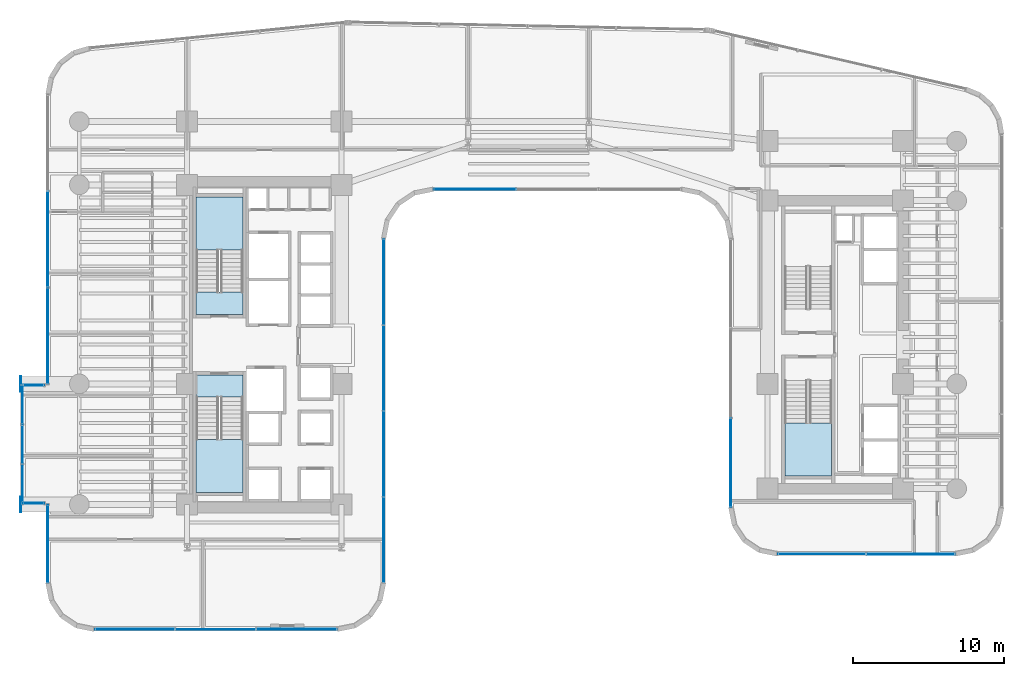
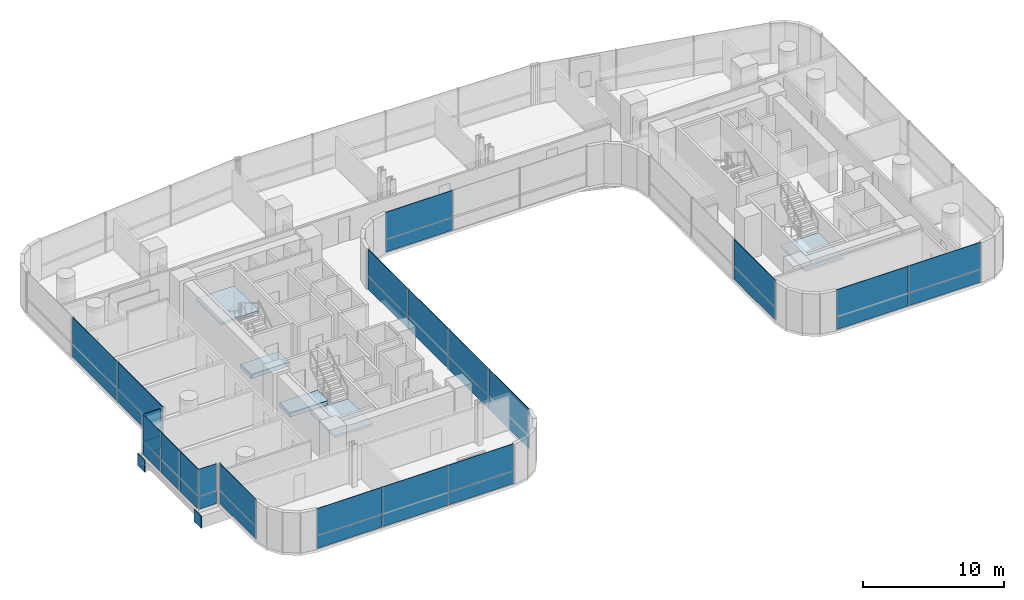
# One storey, part 28 of 39: 34 plates, 5 slabs, 13 elements without a shape of their own.
"""IFC4 building model written with IfcOpenShell, lengths in metres."""

from ifc_helpers import new_model, si_unit, direction, frame, origin, origin_2d, place, context, subcontext, project, spatial, polyline, rectangle, outline, extrude, source, transform, mapped, material, layer, layer_set, type_object, element, aggregate, save


model = new_model("IFC4")

# Units and contexts
model_context = context("Model", 3, precision=1e-05, world=origin(), true_north=direction((0.0, 1.0)))
body_context = subcontext(model_context, "Body", "Model", "MODEL_VIEW")
ifc_project = project(units=[si_unit("LENGTHUNIT", "METRE"), si_unit("AREAUNIT", "SQUARE_METRE"), si_unit("VOLUMEUNIT", "CUBIC_METRE"), si_unit("PLANEANGLEUNIT", "RADIAN"), si_unit("MASSUNIT", "GRAM", prefix="KILO")], contexts=[model_context])

# Site, building, storey
site_placement = place(None, origin())
site = spatial("IfcSite", under=ifc_project, at=site_placement, CompositionType="ELEMENT")
building_placement = place(site_placement, origin())
building = spatial("IfcBuilding", under=site, at=building_placement, Name="Valdorenza Pilgrim Sanctuary Tower", CompositionType="ELEMENT")
storey_placement = place(building_placement, frame((0.0, 0.0, 33.39990234375)))
storey = spatial("IfcBuildingStorey", under=building, at=storey_placement, Name="L07", CompositionType="ELEMENT", Elevation=33.39990234375)

# Stair, slab
ifc_material_1 = material(Name="Concrete C40/50", Category="concrete")
stair_type = type_object("IfcStairType", Name="STR-DOG-CORE", PredefinedType="HALF_TURN_STAIR", material=ifc_material_1)
stair_1_placement = place(storey_placement, origin())
stair_1 = element("IfcStair", 1, at=stair_1_placement, inside=storey, type_object=stair_type, Name="L07 ST-A1", PredefinedType="HALF_TURN_STAIR")
ifc_layer_1 = layer(ifc_material_1, 0.199951171875, Name="Concrete C40/50")
ifc_layer_set_1 = layer_set([ifc_layer_1], Name="Concrete C40/50")
slab_type_1 = type_object("IfcSlabType", Name="SLAB-STL-200", PredefinedType="LANDING", material=ifc_layer_set_1)
slab_1_placement = place(storey_placement, frame((0.0, 0.0, 1.650146484375)))
slab_1 = element("IfcSlab", 2, at=slab_1_placement, type_object=slab_type_1, Name="ST-A1 landing 1", PredefinedType="LANDING", context=body_context, shape_type="SweptSolid", body=[
    extrude(outline(polyline([(-18.93994140625, 6.280029296875), (-18.93994140625, 9.800048828125), (-22.050048828125, 9.800048828125), (-22.050048828125, 6.280029296875), (-18.93994140625, 6.280029296875)])), origin(), (0.0, 0.0, 1.0), 0.199951171875),
])
aggregate(stair_1, [slab_1])

stair_2_placement = place(storey_placement, origin())
stair_2 = element("IfcStair", 3, at=stair_2_placement, inside=storey, type_object=stair_type, Name="L07 ST-A2", PredefinedType="HALF_TURN_STAIR")
slab_2_placement = place(storey_placement, frame((0.0, 0.0, 1.650146484375)))
slab_2 = element("IfcSlab", 4, at=slab_2_placement, type_object=slab_type_1, Name="ST-A2 landing 1", PredefinedType="LANDING", context=body_context, shape_type="SweptSolid", body=[
    extrude(outline(polyline([(-22.050048828125, -6.280029296875), (-22.050048828125, -9.800048828125), (-18.93994140625, -9.800048828125), (-18.93994140625, -6.280029296875), (-22.050048828125, -6.280029296875)])), origin(), (0.0, 0.0, 1.0), 0.199951171875),
])
aggregate(stair_2, [slab_2])

stair_3_placement = place(storey_placement, origin())
stair_3 = element("IfcStair", 5, at=stair_3_placement, inside=storey, type_object=stair_type, Name="L07 ST-B2", PredefinedType="HALF_TURN_STAIR")
slab_3_placement = place(storey_placement, frame((0.0, 0.0, 1.650146484375)))
slab_3 = element("IfcSlab", 6, at=slab_3_placement, type_object=slab_type_1, Name="ST-B2 landing 1", PredefinedType="LANDING", context=body_context, shape_type="SweptSolid", body=[
    extrude(outline(polyline([(17.0, -5.179931640625), (17.0, -8.699951171875), (20.110107421875, -8.699951171875), (20.110107421875, -5.179931640625), (17.0, -5.179931640625)])), origin(), (0.0, 0.0, 1.0), 0.199951171875),
])
aggregate(stair_3, [slab_3])

# Slabs
ifc_material_2 = material(Name="Concrete C50/60", Category="concrete")
ifc_layer_2 = layer(ifc_material_2, 0.39990234375, Name="Concrete C50/60")
ifc_layer_set_2 = layer_set([ifc_layer_2], Name="Concrete C50/60")
slab_type_2 = type_object("IfcSlabType", Name="SLAB-TRF-400", PredefinedType="FLOOR", material=ifc_layer_set_2)
slab_4_placement = place(storey_placement, frame((0.0, 0.0, -0.35986328125)))
element("IfcSlab", 7, at=slab_4_placement, inside=storey, type_object=slab_type_2, Name="L07 ST-A1 Structural Stair Landing Bearing Slab", PredefinedType="FLOOR", context=body_context, shape_type="SweptSolid", body=[
    extrude(outline(polyline([(-22.050048828125, 2.0), (-18.93994140625, 2.0), (-18.93994140625, 3.485107421875), (-22.050048828125, 3.485107421875), (-22.050048828125, 2.0)])), origin(), (0.0, 0.0, 1.0), 0.35986328125),
])
slab_5_placement = place(storey_placement, frame((0.0, 0.0, -0.35986328125)))
element("IfcSlab", 8, at=slab_5_placement, inside=storey, type_object=slab_type_2, Name="L07 ST-A2 Structural Stair Landing Bearing Slab", PredefinedType="FLOOR", context=body_context, shape_type="SweptSolid", body=[
    extrude(outline(polyline([(-22.050048828125, -3.485107421875), (-18.93994140625, -3.485107421875), (-18.93994140625, -2.0), (-22.050048828125, -2.0), (-22.050048828125, -3.485107421875)])), origin(), (0.0, 0.0, 1.0), 0.35986328125),
])

# Plates
ifc_material_3 = material(Name="Steel ASTM A572 Grade 42", Category="steel")
ifc_layer_3 = layer(ifc_material_3, 0.06005859375, Name="Steel ASTM A572 Grade 42")
ifc_layer_set_3 = layer_set([ifc_layer_3], Name="Steel ASTM A572 Grade 42")
plate_type_1 = type_object("IfcPlateType", Name="PLT-CAP-60", PredefinedType="SHEET", material=ifc_layer_set_3)
shared_shape_1 = source(origin(), body_context, "Body", "SweptSolid", [
    extrude(rectangle(XDim=0.06005859375, YDim=1.0400390625, at=origin_2d()), origin(), (0.0, 0.0, 1.0), 1.0400390625),
])
for number, where, z_axis, x_axis, name in (
    (9, (-33.679931640625, -2.60009765625, -1.260009765625), (0.0, 0.0, 1.0), (1.0, 0.0, 0.0), "L07 BOX-WA-L07 Cantilever Tip End Cap N"),
    (10, (-33.679931640625, -10.60009765625, -1.260009765625), (0.0, 0.0, 1.0), (1.0, 0.0, 0.0), "L07 BOX-WA-L07 Cantilever Tip End Cap S"),
):
    element("IfcPlate", number, at=place(storey_placement, frame(where, z_axis=z_axis, x_axis=x_axis)), inside=storey, type_object=plate_type_1, Name=name, PredefinedType="SHEET", context=body_context, shape_type="MappedRepresentation", body=[
        mapped(shared_shape_1, transform((0.0, 0.0, 0.0), x_axis=(1.0, 0.0, 0.0), y_axis=(0.0, 1.0, 0.0), z_axis=(0.0, 0.0, 1.0), scale=1.0)),
    ])

# Curtain wall, plates
ifc_material_4 = material(Name="Curtain-wall IGU glazing", Category="glass")
curtain_wall_type_1 = type_object("IfcCurtainWallType", Name="CW-SYS-02", PredefinedType="NOTDEFINED", material=ifc_material_4)
curtain_wall_1_placement = place(storey_placement, origin())
curtain_wall_1 = element("IfcCurtainWall", 11, at=curtain_wall_1_placement, inside=storey, type_object=curtain_wall_type_1, Name="L07 Curtain Wall CW-L07-1-1S1", PredefinedType="NOTDEFINED")
ifc_material_5 = material(Name="Honed travertine limestone", Category="masonry")
ifc_layer_4 = layer(ifc_material_5, 0.050048828125, Name="Honed travertine limestone")
ifc_layer_set_4 = layer_set([ifc_layer_4], Name="Honed travertine limestone")
plate_type_2 = type_object("IfcPlateType", Name="CW-SPN-TRV", PredefinedType="USERDEFINED", material=ifc_layer_set_4)
shared_shape_2 = source(origin(), body_context, "Body", "SweptSolid", [
    extrude(rectangle(XDim=5.169189453125, YDim=0.06005859375, at=origin_2d()), origin(), (0.0, 0.0, 1.0), 1.10009765625),
])
plate_1_placement = place(storey_placement, frame((-31.889892578125, -13.194580078125, 0.010009765625), z_axis=(0.0, 0.0, 1.0), x_axis=(0.0, 1.0, 0.0)))
plate_1 = element("IfcPlate", 12, at=plate_1_placement, type_object=plate_type_2, Name="CW-L07-1-1S1 Travertine Spandrel 1", ObjectType="SPANDREL", PredefinedType="USERDEFINED", context=body_context, shape_type="MappedRepresentation", body=[
    mapped(shared_shape_2, transform((0.0, 0.0, 0.0), x_axis=(1.0, 0.0, 0.0), y_axis=(0.0, 1.0, 0.0), z_axis=(0.0, 0.0, 1.0), scale=1.0)),
])
ifc_material_6 = material(Name="Ceramic-fritted low-E IGU glazing", Category="glass")
ifc_layer_5 = layer(ifc_material_6, 0.035888671875, Name="Ceramic-fritted low-E IGU glazing")
ifc_layer_set_5 = layer_set([ifc_layer_5], Name="Ceramic-fritted low-E IGU glazing")
plate_type_3 = type_object("IfcPlateType", Name="CW-GLZ-IGU", PredefinedType="USERDEFINED", material=ifc_layer_set_5)
shared_shape_3 = source(origin(), body_context, "Body", "SweptSolid", [
    extrude(rectangle(XDim=5.169189453125, YDim=0.050048828125, at=origin_2d()), origin(), (0.0, 0.0, 1.0), 2.320068359375),
])
plate_2_placement = place(storey_placement, frame((-31.889892578125, -13.194580078125, 1.1298828125), z_axis=(0.0, 0.0, 1.0), x_axis=(0.0, 1.0, 0.0)))
plate_2 = element("IfcPlate", 13, at=plate_2_placement, type_object=plate_type_3, Name="CW-L07-1-1S1 Facade Panel 1", ObjectType="GLAZING", PredefinedType="USERDEFINED", context=body_context, shape_type="MappedRepresentation", body=[
    mapped(shared_shape_3, transform((0.0, 0.0, 0.0), x_axis=(1.0, 0.0, 0.0), y_axis=(0.0, 1.0, 0.0), z_axis=(0.0, 0.0, 1.0), scale=1.0)),
])
aggregate(curtain_wall_1, [plate_1, plate_2])

curtain_wall_2_placement = place(storey_placement, origin())
curtain_wall_2 = element("IfcCurtainWall", 14, at=curtain_wall_2_placement, inside=storey, type_object=curtain_wall_type_1, Name="L07 Curtain Wall CW-L07-1-1S2", PredefinedType="NOTDEFINED")
shared_shape_4 = source(origin(), body_context, "Body", "SweptSolid", [
    extrude(rectangle(XDim=6.3779296875, YDim=0.06005859375, at=origin_2d()), origin(), (0.0, 0.0, 1.0), 1.10009765625),
])
plate_3_placement = place(storey_placement, frame((-31.889892578125, 0.59912109375, 0.010009765625), z_axis=(0.0, 0.0, 1.0), x_axis=(0.0, 1.0, 0.0)))
plate_3 = element("IfcPlate", 15, at=plate_3_placement, type_object=plate_type_2, Name="CW-L07-1-1S2 Travertine Spandrel 1", ObjectType="SPANDREL", PredefinedType="USERDEFINED", context=body_context, shape_type="MappedRepresentation", body=[
    mapped(shared_shape_4, transform((0.0, 0.0, 0.0), x_axis=(1.0, 0.0, 0.0), y_axis=(0.0, 1.0, 0.0), z_axis=(0.0, 0.0, 1.0), scale=1.0)),
])
shared_shape_5 = source(origin(), body_context, "Body", "SweptSolid", [
    extrude(rectangle(XDim=6.3779296875, YDim=0.050048828125, at=origin_2d()), origin(), (0.0, 0.0, 1.0), 2.320068359375),
])
plate_4_placement = place(storey_placement, frame((-31.889892578125, 0.59912109375, 1.1298828125), z_axis=(0.0, 0.0, 1.0), x_axis=(0.0, 1.0, 0.0)))
plate_4 = element("IfcPlate", 16, at=plate_4_placement, type_object=plate_type_3, Name="CW-L07-1-1S2 Facade Panel 1", ObjectType="GLAZING", PredefinedType="USERDEFINED", context=body_context, shape_type="MappedRepresentation", body=[
    mapped(shared_shape_5, transform((0.0, 0.0, 0.0), x_axis=(1.0, 0.0, 0.0), y_axis=(0.0, 1.0, 0.0), z_axis=(0.0, 0.0, 1.0), scale=1.0)),
])
shared_shape_6 = source(origin(), body_context, "Body", "SweptSolid", [
    extrude(rectangle(XDim=6.3779296875, YDim=0.050048828125, at=origin_2d()), origin(), (0.0, 0.0, 1.0), 3.43994140625),
])
plate_5_placement = place(storey_placement, frame((-31.889892578125, 6.9970703125, 0.010009765625), z_axis=(0.0, 0.0, 1.0), x_axis=(0.0, 1.0, 0.0)))
plate_5 = element("IfcPlate", 17, at=plate_5_placement, type_object=plate_type_3, Name="CW-L07-1-1S2 Full-Height Facade Panel 2", ObjectType="GLAZING", PredefinedType="USERDEFINED", context=body_context, shape_type="MappedRepresentation", body=[
    mapped(shared_shape_6, transform((0.0, 0.0, 0.0), x_axis=(1.0, 0.0, 0.0), y_axis=(0.0, 1.0, 0.0), z_axis=(0.0, 0.0, 1.0), scale=1.0)),
])
aggregate(curtain_wall_2, [plate_3, plate_4, plate_5])

curtain_wall_type_2 = type_object("IfcCurtainWallType", Name="CW-SYS-03", PredefinedType="NOTDEFINED", material=ifc_material_4)
curtain_wall_3_placement = place(storey_placement, origin())
curtain_wall_3 = element("IfcCurtainWall", 18, at=curtain_wall_3_placement, inside=storey, type_object=curtain_wall_type_2, Name="L07 Curtain Wall CW-L07-1-26", PredefinedType="NOTDEFINED")
shared_shape_7 = source(origin(), body_context, "Body", "SweptSolid", [
    extrude(rectangle(XDim=5.869140625, YDim=0.06005859375, at=origin_2d()), origin(), (0.0, 0.0, 1.0), 1.10009765625),
])
plate_6_placement = place(storey_placement, frame((25.344482421875, -13.889892578125, 0.010009765625), z_axis=(0.0, 0.0, 1.0), x_axis=(-1.0, 0.0, 0.0)))
plate_6 = element("IfcPlate", 19, at=plate_6_placement, type_object=plate_type_2, Name="CW-L07-1-26 Travertine Spandrel 1", ObjectType="SPANDREL", PredefinedType="USERDEFINED", context=body_context, shape_type="MappedRepresentation", body=[
    mapped(shared_shape_7, transform((0.0, 0.0, 0.0), x_axis=(1.0, 0.0, 0.0), y_axis=(0.0, 1.0, 0.0), z_axis=(0.0, 0.0, 1.0), scale=1.0)),
])
shared_shape_8 = source(origin(), body_context, "Body", "SweptSolid", [
    extrude(rectangle(XDim=5.869140625, YDim=0.050048828125, at=origin_2d()), origin(), (0.0, 0.0, 1.0), 2.320068359375),
])
plate_7_placement = place(storey_placement, frame((25.344482421875, -13.889892578125, 1.1298828125), z_axis=(0.0, 0.0, 1.0), x_axis=(-1.0, 0.0, 0.0)))
plate_7 = element("IfcPlate", 20, at=plate_7_placement, type_object=plate_type_3, Name="CW-L07-1-26 Facade Panel 1", ObjectType="GLAZING", PredefinedType="USERDEFINED", context=body_context, shape_type="MappedRepresentation", body=[
    mapped(shared_shape_8, transform((0.0, 0.0, 0.0), x_axis=(1.0, 0.0, 0.0), y_axis=(0.0, 1.0, 0.0), z_axis=(0.0, 0.0, 1.0), scale=1.0)),
])
shared_shape_9 = source(origin(), body_context, "Body", "SweptSolid", [
    extrude(rectangle(XDim=5.869140625, YDim=0.050048828125, at=origin_2d()), origin(), (0.0, 0.0, 1.0), 3.43994140625),
])
plate_8_placement = place(storey_placement, frame((19.455322265625, -13.889892578125, 0.010009765625), z_axis=(0.0, 0.0, 1.0), x_axis=(-1.0, 0.0, 0.0)))
plate_8 = element("IfcPlate", 21, at=plate_8_placement, type_object=plate_type_3, Name="CW-L07-1-26 Full-Height Facade Panel 2", ObjectType="GLAZING", PredefinedType="USERDEFINED", context=body_context, shape_type="MappedRepresentation", body=[
    mapped(shared_shape_9, transform((0.0, 0.0, 0.0), x_axis=(1.0, 0.0, 0.0), y_axis=(0.0, 1.0, 0.0), z_axis=(0.0, 0.0, 1.0), scale=1.0)),
])
aggregate(curtain_wall_3, [plate_6, plate_7, plate_8])

curtain_wall_4_placement = place(storey_placement, origin())
curtain_wall_4 = element("IfcCurtainWall", 22, at=curtain_wall_4_placement, inside=storey, type_object=curtain_wall_type_2, Name="L07 Curtain Wall CW-L07-1-31", PredefinedType="NOTDEFINED")
shared_shape_10 = source(origin(), body_context, "Body", "SweptSolid", [
    extrude(rectangle(XDim=5.913330078125, YDim=0.06005859375, at=origin_2d()), origin(), (0.0, 0.0, 1.0), 1.10009765625),
])
plate_9_placement = place(storey_placement, frame((13.409912109375, -7.822509765625, 0.010009765625), z_axis=(0.0, 0.0, 1.0), x_axis=(0.0, 1.0, 0.0)))
plate_9 = element("IfcPlate", 23, at=plate_9_placement, type_object=plate_type_2, Name="CW-L07-1-31 Travertine Spandrel 1", ObjectType="SPANDREL", PredefinedType="USERDEFINED", context=body_context, shape_type="MappedRepresentation", body=[
    mapped(shared_shape_10, transform((0.0, 0.0, 0.0), x_axis=(1.0, 0.0, 0.0), y_axis=(0.0, 1.0, 0.0), z_axis=(0.0, 0.0, 1.0), scale=1.0)),
])
shared_shape_11 = source(origin(), body_context, "Body", "SweptSolid", [
    extrude(rectangle(XDim=5.913330078125, YDim=0.050048828125, at=origin_2d()), origin(), (0.0, 0.0, 1.0), 2.320068359375),
])
plate_10_placement = place(storey_placement, frame((13.409912109375, -7.822509765625, 1.1298828125), z_axis=(0.0, 0.0, 1.0), x_axis=(0.0, 1.0, 0.0)))
plate_10 = element("IfcPlate", 24, at=plate_10_placement, type_object=plate_type_3, Name="CW-L07-1-31 Facade Panel 1", ObjectType="GLAZING", PredefinedType="USERDEFINED", context=body_context, shape_type="MappedRepresentation", body=[
    mapped(shared_shape_11, transform((0.0, 0.0, 0.0), x_axis=(1.0, 0.0, 0.0), y_axis=(0.0, 1.0, 0.0), z_axis=(0.0, 0.0, 1.0), scale=1.0)),
])
aggregate(curtain_wall_4, [plate_9, plate_10])

curtain_wall_5_placement = place(storey_placement, origin())
curtain_wall_5 = element("IfcCurtainWall", 25, at=curtain_wall_5_placement, inside=storey, type_object=curtain_wall_type_1, Name="L07 Curtain Wall CW-L07-1-36", PredefinedType="NOTDEFINED")
shared_shape_12 = source(origin(), body_context, "Body", "SweptSolid", [
    extrude(rectangle(XDim=5.453857421875, YDim=0.06005859375, at=origin_2d()), origin(), (0.0, 0.0, 1.0), 1.10009765625),
])
plate_11_placement = place(storey_placement, frame((-3.573974609375, 10.31005859375, 0.010009765625), z_axis=(0.0, 0.0, 1.0), x_axis=(-1.0, 0.0, 0.0)))
plate_11 = element("IfcPlate", 26, at=plate_11_placement, type_object=plate_type_2, Name="CW-L07-1-36 Travertine Spandrel 3", ObjectType="SPANDREL", PredefinedType="USERDEFINED", context=body_context, shape_type="MappedRepresentation", body=[
    mapped(shared_shape_12, transform((0.0, 0.0, 0.0), x_axis=(1.0, 0.0, 0.0), y_axis=(0.0, 1.0, 0.0), z_axis=(0.0, 0.0, 1.0), scale=1.0)),
])
shared_shape_13 = source(origin(), body_context, "Body", "SweptSolid", [
    extrude(rectangle(XDim=5.453857421875, YDim=0.050048828125, at=origin_2d()), origin(), (0.0, 0.0, 1.0), 2.320068359375),
])
plate_12_placement = place(storey_placement, frame((-3.573974609375, 10.31005859375, 1.1298828125), z_axis=(0.0, 0.0, 1.0), x_axis=(-1.0, 0.0, 0.0)))
plate_12 = element("IfcPlate", 27, at=plate_12_placement, type_object=plate_type_3, Name="CW-L07-1-36 Facade Panel 3", ObjectType="GLAZING", PredefinedType="USERDEFINED", context=body_context, shape_type="MappedRepresentation", body=[
    mapped(shared_shape_13, transform((0.0, 0.0, 0.0), x_axis=(1.0, 0.0, 0.0), y_axis=(0.0, 1.0, 0.0), z_axis=(0.0, 0.0, 1.0), scale=1.0)),
])
aggregate(curtain_wall_5, [plate_11, plate_12])

curtain_wall_6_placement = place(storey_placement, origin())
curtain_wall_6 = element("IfcCurtainWall", 28, at=curtain_wall_6_placement, inside=storey, type_object=curtain_wall_type_1, Name="L07 Curtain Wall CW-L07-1-41", PredefinedType="NOTDEFINED")
shared_shape_14 = source(origin(), body_context, "Body", "SweptSolid", [
    extrude(rectangle(XDim=5.679931640625, YDim=0.06005859375, at=origin_2d()), origin(), (0.0, 0.0, 1.0), 1.10009765625),
])
plate_13_placement = place(storey_placement, frame((-9.610107421875, 4.160888671875, 0.010009765625), z_axis=(0.0, 0.0, 1.0), x_axis=(0.0, -1.0, 0.0)))
plate_13 = element("IfcPlate", 29, at=plate_13_placement, type_object=plate_type_2, Name="CW-L07-1-41 Travertine Spandrel 1", ObjectType="SPANDREL", PredefinedType="USERDEFINED", context=body_context, shape_type="MappedRepresentation", body=[
    mapped(shared_shape_14, transform((0.0, 0.0, 0.0), x_axis=(1.0, 0.0, 0.0), y_axis=(0.0, 1.0, 0.0), z_axis=(0.0, 0.0, 1.0), scale=1.0)),
])
plate_14_placement = place(storey_placement, frame((-9.610107421875, -7.2392578125, 0.010009765625), z_axis=(0.0, 0.0, 1.0), x_axis=(0.0, -1.0, 0.0)))
plate_14 = element("IfcPlate", 30, at=plate_14_placement, type_object=plate_type_2, Name="CW-L07-1-41 Travertine Spandrel 3", ObjectType="SPANDREL", PredefinedType="USERDEFINED", context=body_context, shape_type="MappedRepresentation", body=[
    mapped(shared_shape_14, transform((0.0, 0.0, 0.0), x_axis=(1.0, 0.0, 0.0), y_axis=(0.0, 1.0, 0.0), z_axis=(0.0, 0.0, 1.0), scale=1.0)),
])
shared_shape_15 = source(origin(), body_context, "Body", "SweptSolid", [
    extrude(rectangle(XDim=5.679931640625, YDim=0.050048828125, at=origin_2d()), origin(), (0.0, 0.0, 1.0), 2.320068359375),
])
plate_15_placement = place(storey_placement, frame((-9.610107421875, 4.160888671875, 1.1298828125), z_axis=(0.0, 0.0, 1.0), x_axis=(0.0, -1.0, 0.0)))
plate_15 = element("IfcPlate", 31, at=plate_15_placement, type_object=plate_type_3, Name="CW-L07-1-41 Facade Panel 1", ObjectType="GLAZING", PredefinedType="USERDEFINED", context=body_context, shape_type="MappedRepresentation", body=[
    mapped(shared_shape_15, transform((0.0, 0.0, 0.0), x_axis=(1.0, 0.0, 0.0), y_axis=(0.0, 1.0, 0.0), z_axis=(0.0, 0.0, 1.0), scale=1.0)),
])
plate_16_placement = place(storey_placement, frame((-9.610107421875, -7.2392578125, 1.1298828125), z_axis=(0.0, 0.0, 1.0), x_axis=(0.0, -1.0, 0.0)))
plate_16 = element("IfcPlate", 32, at=plate_16_placement, type_object=plate_type_3, Name="CW-L07-1-41 Facade Panel 3", ObjectType="GLAZING", PredefinedType="USERDEFINED", context=body_context, shape_type="MappedRepresentation", body=[
    mapped(shared_shape_15, transform((0.0, 0.0, 0.0), x_axis=(1.0, 0.0, 0.0), y_axis=(0.0, 1.0, 0.0), z_axis=(0.0, 0.0, 1.0), scale=1.0)),
])
shared_shape_16 = source(origin(), body_context, "Body", "SweptSolid", [
    extrude(rectangle(XDim=5.679931640625, YDim=0.050048828125, at=origin_2d()), origin(), (0.0, 0.0, 1.0), 3.43994140625),
])
plate_17_placement = place(storey_placement, frame((-9.610107421875, -1.539306640625, 0.010009765625), z_axis=(0.0, 0.0, 1.0), x_axis=(0.0, -1.0, 0.0)))
plate_17 = element("IfcPlate", 33, at=plate_17_placement, type_object=plate_type_3, Name="CW-L07-1-41 Full-Height Facade Panel 2", ObjectType="GLAZING", PredefinedType="USERDEFINED", context=body_context, shape_type="MappedRepresentation", body=[
    mapped(shared_shape_16, transform((0.0, 0.0, 0.0), x_axis=(1.0, 0.0, 0.0), y_axis=(0.0, 1.0, 0.0), z_axis=(0.0, 0.0, 1.0), scale=1.0)),
])
plate_18_placement = place(storey_placement, frame((-9.610107421875, -12.939208984375, 0.010009765625), z_axis=(0.0, 0.0, 1.0), x_axis=(0.0, -1.0, 0.0)))
plate_18 = element("IfcPlate", 34, at=plate_18_placement, type_object=plate_type_3, Name="CW-L07-1-41 Full-Height Facade Panel 4", ObjectType="GLAZING", PredefinedType="USERDEFINED", context=body_context, shape_type="MappedRepresentation", body=[
    mapped(shared_shape_16, transform((0.0, 0.0, 0.0), x_axis=(1.0, 0.0, 0.0), y_axis=(0.0, 1.0, 0.0), z_axis=(0.0, 0.0, 1.0), scale=1.0)),
])
aggregate(curtain_wall_6, [plate_13, plate_15, plate_17, plate_14, plate_16, plate_18])

curtain_wall_7_placement = place(storey_placement, origin())
curtain_wall_7 = element("IfcCurtainWall", 35, at=curtain_wall_7_placement, inside=storey, type_object=curtain_wall_type_1, Name="L07 Curtain Wall CW-L07-1-46", PredefinedType="NOTDEFINED")
shared_shape_17 = source(origin(), body_context, "Body", "SweptSolid", [
    extrude(rectangle(XDim=5.339599609375, YDim=0.06005859375, at=origin_2d()), origin(), (0.0, 0.0, 1.0), 1.10009765625),
])
plate_19_placement = place(storey_placement, frame((-15.390380859375, -18.889892578125, 0.010009765625), z_axis=(0.0, 0.0, 1.0), x_axis=(-1.0, 0.0, 0.0)))
plate_19 = element("IfcPlate", 36, at=plate_19_placement, type_object=plate_type_2, Name="CW-L07-1-46 Travertine Spandrel 1", ObjectType="SPANDREL", PredefinedType="USERDEFINED", context=body_context, shape_type="MappedRepresentation", body=[
    mapped(shared_shape_17, transform((0.0, 0.0, 0.0), x_axis=(1.0, 0.0, 0.0), y_axis=(0.0, 1.0, 0.0), z_axis=(0.0, 0.0, 1.0), scale=1.0)),
])
plate_20_placement = place(storey_placement, frame((-26.109619140625, -18.889892578125, 0.010009765625), z_axis=(0.0, 0.0, 1.0), x_axis=(-1.0, 0.0, 0.0)))
plate_20 = element("IfcPlate", 37, at=plate_20_placement, type_object=plate_type_2, Name="CW-L07-1-46 Travertine Spandrel 3", ObjectType="SPANDREL", PredefinedType="USERDEFINED", context=body_context, shape_type="MappedRepresentation", body=[
    mapped(shared_shape_17, transform((0.0, 0.0, 0.0), x_axis=(1.0, 0.0, 0.0), y_axis=(0.0, 1.0, 0.0), z_axis=(0.0, 0.0, 1.0), scale=1.0)),
])
shared_shape_18 = source(origin(), body_context, "Body", "SweptSolid", [
    extrude(rectangle(XDim=5.339599609375, YDim=0.050048828125, at=origin_2d()), origin(), (0.0, 0.0, 1.0), 2.320068359375),
])
plate_21_placement = place(storey_placement, frame((-15.390380859375, -18.889892578125, 1.1298828125), z_axis=(0.0, 0.0, 1.0), x_axis=(-1.0, 0.0, 0.0)))
plate_21 = element("IfcPlate", 38, at=plate_21_placement, type_object=plate_type_3, Name="CW-L07-1-46 Facade Panel 1", ObjectType="GLAZING", PredefinedType="USERDEFINED", context=body_context, shape_type="MappedRepresentation", body=[
    mapped(shared_shape_18, transform((0.0, 0.0, 0.0), x_axis=(1.0, 0.0, 0.0), y_axis=(0.0, 1.0, 0.0), z_axis=(0.0, 0.0, 1.0), scale=1.0)),
])
plate_22_placement = place(storey_placement, frame((-26.109619140625, -18.889892578125, 1.1298828125), z_axis=(0.0, 0.0, 1.0), x_axis=(-1.0, 0.0, 0.0)))
plate_22 = element("IfcPlate", 39, at=plate_22_placement, type_object=plate_type_3, Name="CW-L07-1-46 Facade Panel 3", ObjectType="GLAZING", PredefinedType="USERDEFINED", context=body_context, shape_type="MappedRepresentation", body=[
    mapped(shared_shape_18, transform((0.0, 0.0, 0.0), x_axis=(1.0, 0.0, 0.0), y_axis=(0.0, 1.0, 0.0), z_axis=(0.0, 0.0, 1.0), scale=1.0)),
])
shared_shape_19 = source(origin(), body_context, "Body", "SweptSolid", [
    extrude(rectangle(XDim=5.339599609375, YDim=0.050048828125, at=origin_2d()), origin(), (0.0, 0.0, 1.0), 3.43994140625),
])
plate_23_placement = place(storey_placement, frame((-20.75, -18.889892578125, 0.010009765625), z_axis=(0.0, 0.0, 1.0), x_axis=(-1.0, 0.0, 0.0)))
plate_23 = element("IfcPlate", 40, at=plate_23_placement, type_object=plate_type_3, Name="CW-L07-1-46 Full-Height Facade Panel 2", ObjectType="GLAZING", PredefinedType="USERDEFINED", context=body_context, shape_type="MappedRepresentation", body=[
    mapped(shared_shape_19, transform((0.0, 0.0, 0.0), x_axis=(1.0, 0.0, 0.0), y_axis=(0.0, 1.0, 0.0), z_axis=(0.0, 0.0, 1.0), scale=1.0)),
])
aggregate(curtain_wall_7, [plate_19, plate_21, plate_23, plate_20, plate_22])

# Curtain wall, plate
curtain_wall_8_placement = place(storey_placement, origin())
curtain_wall_8 = element("IfcCurtainWall", 41, at=curtain_wall_8_placement, inside=storey, type_object=curtain_wall_type_1, Name="L07 Curtain Wall CW-L07-BOX-WA-L07-S", PredefinedType="NOTDEFINED")
shared_shape_20 = source(origin(), body_context, "Body", "SweptSolid", [
    extrude(rectangle(XDim=1.43994140625, YDim=0.06005859375, at=origin_2d()), origin(), (0.0, 0.0, 1.0), 1.10009765625),
])
plate_24_placement = place(storey_placement, frame((-32.840087890625, -10.52001953125, 0.010009765625), z_axis=(0.0, 0.0, 1.0), x_axis=(-1.0, 0.0, 0.0)))
plate_24 = element("IfcPlate", 42, at=plate_24_placement, type_object=plate_type_2, Name="CW-L07-BOX-WA-L07-S Travertine Spandrel 1", ObjectType="SPANDREL", PredefinedType="USERDEFINED", context=body_context, shape_type="MappedRepresentation", body=[
    mapped(shared_shape_20, transform((0.0, 0.0, 0.0), x_axis=(1.0, 0.0, 0.0), y_axis=(0.0, 1.0, 0.0), z_axis=(0.0, 0.0, 1.0), scale=1.0)),
])

curtain_wall_9_placement = place(storey_placement, origin())
curtain_wall_9 = element("IfcCurtainWall", 43, at=curtain_wall_9_placement, inside=storey, type_object=curtain_wall_type_1, Name="L07 Curtain Wall CW-L07-BOX-WA-L07-N", PredefinedType="NOTDEFINED")
plate_25_placement = place(storey_placement, frame((-32.840087890625, -2.679931640625, 0.010009765625), z_axis=(0.0, 0.0, 1.0), x_axis=(1.0, 0.0, 0.0)))
plate_25 = element("IfcPlate", 44, at=plate_25_placement, type_object=plate_type_2, Name="CW-L07-BOX-WA-L07-N Travertine Spandrel 1", ObjectType="SPANDREL", PredefinedType="USERDEFINED", context=body_context, shape_type="MappedRepresentation", body=[
    mapped(shared_shape_20, transform((0.0, 0.0, 0.0), x_axis=(1.0, 0.0, 0.0), y_axis=(0.0, 1.0, 0.0), z_axis=(0.0, 0.0, 1.0), scale=1.0)),
])

# Plate
shared_shape_21 = source(origin(), body_context, "Body", "SweptSolid", [
    extrude(rectangle(XDim=1.43994140625, YDim=0.050048828125, at=origin_2d()), origin(), (0.0, 0.0, 1.0), 2.320068359375),
])
plate_26_placement = place(storey_placement, frame((-32.840087890625, -10.52001953125, 1.1298828125), z_axis=(0.0, 0.0, 1.0), x_axis=(-1.0, 0.0, 0.0)))
plate_26 = element("IfcPlate", 45, at=plate_26_placement, type_object=plate_type_3, Name="CW-L07-BOX-WA-L07-S Facade Panel 1", ObjectType="GLAZING", PredefinedType="USERDEFINED", context=body_context, shape_type="MappedRepresentation", body=[
    mapped(shared_shape_21, transform((0.0, 0.0, 0.0), x_axis=(1.0, 0.0, 0.0), y_axis=(0.0, 1.0, 0.0), z_axis=(0.0, 0.0, 1.0), scale=1.0)),
])

aggregate(curtain_wall_8, [plate_24, plate_26])

plate_27_placement = place(storey_placement, frame((-32.840087890625, -2.679931640625, 1.1298828125), z_axis=(0.0, 0.0, 1.0), x_axis=(1.0, 0.0, 0.0)))
plate_27 = element("IfcPlate", 46, at=plate_27_placement, type_object=plate_type_3, Name="CW-L07-BOX-WA-L07-N Facade Panel 1", ObjectType="GLAZING", PredefinedType="USERDEFINED", context=body_context, shape_type="MappedRepresentation", body=[
    mapped(shared_shape_21, transform((0.0, 0.0, 0.0), x_axis=(1.0, 0.0, 0.0), y_axis=(0.0, 1.0, 0.0), z_axis=(0.0, 0.0, 1.0), scale=1.0)),
])

aggregate(curtain_wall_9, [plate_25, plate_27])

# Curtain wall, plates
curtain_wall_10_placement = place(storey_placement, origin())
curtain_wall_10 = element("IfcCurtainWall", 47, at=curtain_wall_10_placement, inside=storey, type_object=curtain_wall_type_1, Name="L07 Curtain Wall CW-L07-BOX-WA-L07-F", PredefinedType="NOTDEFINED")
shared_shape_22 = source(origin(), body_context, "Body", "SweptSolid", [
    extrude(rectangle(XDim=2.59326171875, YDim=0.06005859375, at=origin_2d()), origin(), (0.0, 0.0, 1.0), 1.10009765625),
])
plate_28_placement = place(storey_placement, frame((-33.570068359375, -9.21337890625, 0.010009765625), z_axis=(0.0, 0.0, 1.0), x_axis=(0.0, 1.0, 0.0)))
plate_28 = element("IfcPlate", 48, at=plate_28_placement, type_object=plate_type_2, Name="CW-L07-BOX-WA-L07-F Travertine Spandrel 1", ObjectType="SPANDREL", PredefinedType="USERDEFINED", context=body_context, shape_type="MappedRepresentation", body=[
    mapped(shared_shape_22, transform((0.0, 0.0, 0.0), x_axis=(1.0, 0.0, 0.0), y_axis=(0.0, 1.0, 0.0), z_axis=(0.0, 0.0, 1.0), scale=1.0)),
])
plate_29_placement = place(storey_placement, frame((-33.570068359375, -3.98681640625, 0.010009765625), z_axis=(0.0, 0.0, 1.0), x_axis=(0.0, 1.0, 0.0)))
plate_29 = element("IfcPlate", 49, at=plate_29_placement, type_object=plate_type_2, Name="CW-L07-BOX-WA-L07-F Travertine Spandrel 3", ObjectType="SPANDREL", PredefinedType="USERDEFINED", context=body_context, shape_type="MappedRepresentation", body=[
    mapped(shared_shape_22, transform((0.0, 0.0, 0.0), x_axis=(1.0, 0.0, 0.0), y_axis=(0.0, 1.0, 0.0), z_axis=(0.0, 0.0, 1.0), scale=1.0)),
])
shared_shape_23 = source(origin(), body_context, "Body", "SweptSolid", [
    extrude(rectangle(XDim=2.59326171875, YDim=0.050048828125, at=origin_2d()), origin(), (0.0, 0.0, 1.0), 2.320068359375),
])
plate_30_placement = place(storey_placement, frame((-33.570068359375, -9.21337890625, 1.1298828125), z_axis=(0.0, 0.0, 1.0), x_axis=(0.0, 1.0, 0.0)))
plate_30 = element("IfcPlate", 50, at=plate_30_placement, type_object=plate_type_3, Name="CW-L07-BOX-WA-L07-F Facade Panel 1", ObjectType="GLAZING", PredefinedType="USERDEFINED", context=body_context, shape_type="MappedRepresentation", body=[
    mapped(shared_shape_23, transform((0.0, 0.0, 0.0), x_axis=(1.0, 0.0, 0.0), y_axis=(0.0, 1.0, 0.0), z_axis=(0.0, 0.0, 1.0), scale=1.0)),
])
plate_31_placement = place(storey_placement, frame((-33.570068359375, -3.98681640625, 1.1298828125), z_axis=(0.0, 0.0, 1.0), x_axis=(0.0, 1.0, 0.0)))
plate_31 = element("IfcPlate", 51, at=plate_31_placement, type_object=plate_type_3, Name="CW-L07-BOX-WA-L07-F Facade Panel 3", ObjectType="GLAZING", PredefinedType="USERDEFINED", context=body_context, shape_type="MappedRepresentation", body=[
    mapped(shared_shape_23, transform((0.0, 0.0, 0.0), x_axis=(1.0, 0.0, 0.0), y_axis=(0.0, 1.0, 0.0), z_axis=(0.0, 0.0, 1.0), scale=1.0)),
])
shared_shape_24 = source(origin(), body_context, "Body", "SweptSolid", [
    extrude(rectangle(XDim=2.59326171875, YDim=0.050048828125, at=origin_2d()), origin(), (0.0, 0.0, 1.0), 3.43994140625),
])
plate_32_placement = place(storey_placement, frame((-33.570068359375, -6.60009765625, 0.010009765625), z_axis=(0.0, 0.0, 1.0), x_axis=(0.0, 1.0, 0.0)))
plate_32 = element("IfcPlate", 52, at=plate_32_placement, type_object=plate_type_3, Name="CW-L07-BOX-WA-L07-F Full-Height Facade Panel 2", ObjectType="GLAZING", PredefinedType="USERDEFINED", context=body_context, shape_type="MappedRepresentation", body=[
    mapped(shared_shape_24, transform((0.0, 0.0, 0.0), x_axis=(1.0, 0.0, 0.0), y_axis=(0.0, 1.0, 0.0), z_axis=(0.0, 0.0, 1.0), scale=1.0)),
])
aggregate(curtain_wall_10, [plate_28, plate_30, plate_32, plate_29, plate_31])

save(model, "model.ifc")
